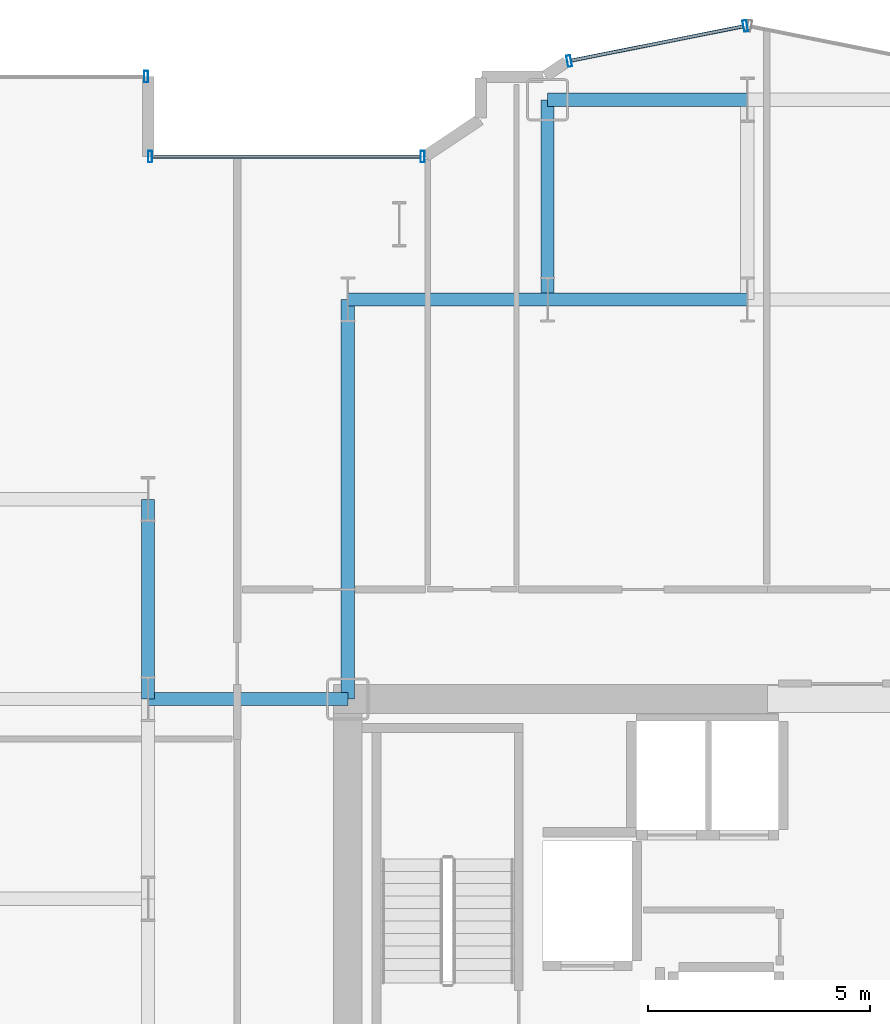
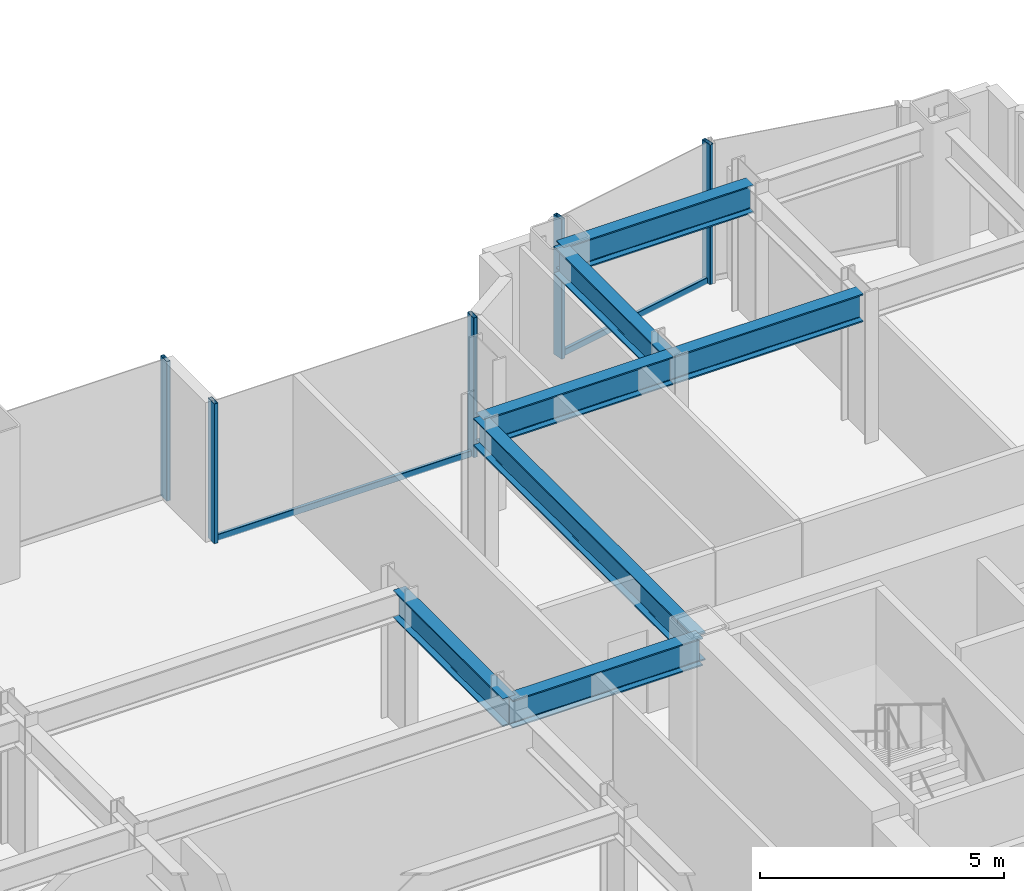
# One storey, part 10 of 26: 7 beams, 7 members, 3 elements without a shape of their own.
"""IFC4 building model written with IfcOpenShell, lengths in metres."""

from ifc_helpers import new_model, si_unit, direction, frame, origin, origin_2d, place, context, subcontext, project, spatial, hollow_rectangle, i_section, extrude, source, transform, mapped, material, layer, layer_set, material_profile, profile_set, type_object, element, aggregate, save


model = new_model("IFC4")

# Units and contexts
model_context = context("Model", 3, precision=1e-05, world=origin(), true_north=direction((0.0, 1.0)))
body_context = subcontext(model_context, "Body", "Model", "MODEL_VIEW")
ifc_project = project(units=[si_unit("LENGTHUNIT", "METRE"), si_unit("AREAUNIT", "SQUARE_METRE"), si_unit("VOLUMEUNIT", "CUBIC_METRE"), si_unit("PLANEANGLEUNIT", "RADIAN"), si_unit("MASSUNIT", "GRAM", prefix="KILO")], contexts=[model_context])

# Site, building, storey
site_placement = place(None, origin())
site = spatial("IfcSite", under=ifc_project, at=site_placement, CompositionType="ELEMENT")
building_placement = place(site_placement, origin())
building = spatial("IfcBuilding", under=site, at=building_placement, Name="Nefas-Gora Pilgrimage Tower", CompositionType="ELEMENT")
storey_placement = place(building_placement, frame((0.0, 0.0, 82.39990234375)))
storey = spatial("IfcBuildingStorey", under=building, at=storey_placement, Name="L19", CompositionType="ELEMENT", Elevation=82.39990234375)

# Beams
ifc_material_1 = material(Name="Steel S355", Category="steel")
ifc_material_profile_1 = material_profile(ifc_material_1, i_section(OverallWidth=0.300048828125, OverallDepth=0.699951171875, WebThickness=0.01708984375, FlangeThickness=0.031982421875, FilletRadius=0.027099609375, at=origin_2d()), Name="HEB 700")
ifc_profile_set_1 = profile_set([ifc_material_profile_1], Name="Steel S355")
beam_type = type_object("IfcBeamType", Name="BM-GIR-HEB700", PredefinedType="BEAM", material=ifc_profile_set_1)
shared_shape_1 = source(origin(), body_context, "Body", "SweptSolid", [
    extrude(i_section(OverallWidth=0.300048828125, OverallDepth=0.699951171875, WebThickness=0.01708984375, FlangeThickness=0.031982421875, FilletRadius=0.027099609375, at=origin_2d()), origin(), (0.0, 0.0, 1.0), 9.0),
])
beam_placement = place(storey_placement, frame((-11.25, 9.0, 3.150146484375), z_axis=(0.0, 1.0, 0.0), x_axis=(-1.0, 0.0, 0.0)))
element("IfcBeam", 1, at=beam_placement, inside=storey, type_object=beam_type, Name="L19 G-02 beam", PredefinedType="BEAM", context=body_context, shape_type="MappedRepresentation", body=[
    mapped(shared_shape_1, transform((0.0, 0.0, 0.0), x_axis=(1.0, 0.0, 0.0), y_axis=(0.0, 1.0, 0.0), z_axis=(0.0, 0.0, 1.0), scale=1.0)),
])
shared_shape_2 = source(origin(), body_context, "Body", "SweptSolid", [
    extrude(i_section(OverallWidth=0.300048828125, OverallDepth=0.699951171875, WebThickness=0.01708984375, FlangeThickness=0.031982421875, FilletRadius=0.027099609375, at=origin_2d()), origin(), (0.0, 0.0, 1.0), 4.5),
])
for number, where, z_axis, x_axis, name in (
    (2, (-15.75, 9.0, 3.150146484375), (0.0, 1.0, 0.0), (-1.0, 0.0, 0.0), "L19 G-02 beam"),
    (3, (-15.75, 9.0, 3.150146484375), (1.0, 0.0, 0.0), (0.0, 1.0, 0.0), "L19 G-02 beam"),
    (4, (-11.25, 18.0, 3.150146484375), (1.0, 0.0, 0.0), (0.0, 1.0, 0.0), "L19 G-02 beam"),
    (5, (-6.75, 18.0, 3.150146484375), (0.0, 1.0, 0.0), (-1.0, 0.0, 0.0), "L19 G-02 beam"),
    (6, (-6.75, 18.0, 3.150146484375), (1.0, 0.0, 0.0), (0.0, 1.0, 0.0), "L19 G-02 beam"),
    (7, (-6.75, 22.5, 3.150146484375), (1.0, 0.0, 0.0), (0.0, 1.0, 0.0), "L19 G-02 beam"),
):
    element("IfcBeam", number, at=place(storey_placement, frame(where, z_axis=z_axis, x_axis=x_axis)), inside=storey, type_object=beam_type, Name=name, PredefinedType="BEAM", context=body_context, shape_type="MappedRepresentation", body=[
        mapped(shared_shape_2, transform((0.0, 0.0, 0.0), x_axis=(1.0, 0.0, 0.0), y_axis=(0.0, 1.0, 0.0), z_axis=(0.0, 0.0, 1.0), scale=1.0)),
    ])

# Curtain wall, member
ifc_material_2 = material(Name="Dark ceramic-fritted solar-control aluminium-glass curtain wall", Category="aluminium")
ifc_layer_1 = layer(ifc_material_2, 0.219970703125)
ifc_layer_set_1 = layer_set([ifc_layer_1], Name="Dark ceramic-fritted solar-control aluminium-glass curtain wall")
curtain_wall_type_1 = type_object("IfcCurtainWallType", Name="CW-SYS-5", PredefinedType="NOTDEFINED", material=ifc_layer_set_1)
curtain_wall_1_placement = place(storey_placement, origin())
curtain_wall_1 = element("IfcCurtainWall", 8, at=curtain_wall_1_placement, inside=storey, type_object=curtain_wall_type_1, Name="L19 Unitised Curtain Wall CW5", PredefinedType="NOTDEFINED")
ifc_material_3 = material(Name="Anodised architectural aluminium", Category="aluminium")
ifc_material_profile_2 = material_profile(ifc_material_3, hollow_rectangle(XDim=0.080078125, YDim=0.159912109375, WallThickness=0.00439453125, InnerFilletRadius=0.00439453125, OuterFilletRadius=0.009033203125, at=origin_2d()), Name="ALU TRANSOM 80x160")
ifc_profile_set_2 = profile_set([ifc_material_profile_2], Name="Anodised architectural aluminium")
member_type_1 = type_object("IfcMemberType", Name="CWM-TRN-5", PredefinedType="USERDEFINED", material=ifc_profile_set_2)
shared_shape_3 = source(origin(), body_context, "Body", "SweptSolid", [
    extrude(hollow_rectangle(XDim=0.080078125, YDim=0.159912109375, WallThickness=0.00439453125, InnerFilletRadius=0.00439453125, OuterFilletRadius=0.009033203125, at=origin_2d()), origin(), (0.0, 0.0, 1.0), 6.052001953125),
])
member_1_placement = place(storey_placement, frame((-9.60791015625, 21.219970703125, 0.050048828125), z_axis=(-1.0, 0.0, 0.0), x_axis=(0.0, -1.0, 0.0)))
member_1 = element("IfcMember", 9, at=member_1_placement, type_object=member_type_1, Name="CW5 Spandrel Transom", ObjectType="TRANSOM", PredefinedType="USERDEFINED", context=body_context, shape_type="MappedRepresentation", body=[
    mapped(shared_shape_3, transform((0.0, 0.0, 0.0), x_axis=(1.0, 0.0, 0.0), y_axis=(0.0, 1.0, 0.0), z_axis=(0.0, 0.0, 1.0), scale=1.0)),
])

# Curtain wall, members
curtain_wall_2_placement = place(storey_placement, origin())
curtain_wall_2 = element("IfcCurtainWall", 10, at=curtain_wall_2_placement, inside=storey, type_object=curtain_wall_type_1, Name="L19 Unitised Curtain Wall CW5", PredefinedType="NOTDEFINED")
shared_shape_4 = source(origin(), body_context, "Body", "SweptSolid", [
    extrude(hollow_rectangle(XDim=0.080078125, YDim=0.159912109375, WallThickness=0.00439453125, InnerFilletRadius=0.00439453125, OuterFilletRadius=0.009033203125, at=origin_2d()), origin(), (0.0, 0.0, 1.0), 3.95654296875),
])
member_2_placement = place(storey_placement, frame((-2.33837890625, 24.15478515625, 0.050048828125), z_axis=(-0.980781880918, -0.195107411605, 0.0), x_axis=(0.195107411605, -0.980781880918, 0.0)))
member_2 = element("IfcMember", 11, at=member_2_placement, type_object=member_type_1, Name="CW5 Spandrel Transom", ObjectType="TRANSOM", PredefinedType="USERDEFINED", context=body_context, shape_type="MappedRepresentation", body=[
    mapped(shared_shape_4, transform((0.0, 0.0, 0.0), x_axis=(1.0, 0.0, 0.0), y_axis=(0.0, 1.0, 0.0), z_axis=(0.0, 0.0, 1.0), scale=1.0)),
])
ifc_material_profile_3 = material_profile(ifc_material_3, hollow_rectangle(XDim=0.090087890625, YDim=0.260009765625, WallThickness=0.006103515625, InnerFilletRadius=0.006103515625, OuterFilletRadius=0.011962890625, at=origin_2d()), Name="ALU MULLION 90x260")
ifc_profile_set_3 = profile_set([ifc_material_profile_3], Name="Anodised architectural aluminium")
member_type_2 = type_object("IfcMemberType", Name="CWM-MUL-5", PredefinedType="MULLION", material=ifc_profile_set_3)
shared_shape_5 = source(origin(), body_context, "Body", "SweptSolid", [
    extrude(hollow_rectangle(XDim=0.090087890625, YDim=0.260009765625, WallThickness=0.006103515625, InnerFilletRadius=0.006103515625, OuterFilletRadius=0.011962890625, at=origin_2d()), origin(), (0.0, 0.0, 1.0), 3.5),
])
member_3_placement = place(storey_placement, frame((-2.294189453125, 24.16357421875, 0.0), z_axis=(0.0, 0.0, 1.0), x_axis=(-0.980782896852, -0.195102304554, 0.0)))
member_3 = element("IfcMember", 12, at=member_3_placement, type_object=member_type_2, Name="CW5 Mullion 1", PredefinedType="MULLION", context=body_context, shape_type="MappedRepresentation", body=[
    mapped(shared_shape_5, transform((0.0, 0.0, 0.0), x_axis=(1.0, 0.0, 0.0), y_axis=(0.0, 1.0, 0.0), z_axis=(0.0, 0.0, 1.0), scale=1.0)),
])
member_4_placement = place(storey_placement, frame((-6.26318359375, 23.3740234375, 0.0), z_axis=(0.0, 0.0, 1.0), x_axis=(-0.980782896852, -0.195102304554, 0.0)))
member_4 = element("IfcMember", 13, at=member_4_placement, type_object=member_type_2, Name="CW5 Mullion 2", PredefinedType="MULLION", context=body_context, shape_type="MappedRepresentation", body=[
    mapped(shared_shape_5, transform((0.0, 0.0, 0.0), x_axis=(1.0, 0.0, 0.0), y_axis=(0.0, 1.0, 0.0), z_axis=(0.0, 0.0, 1.0), scale=1.0)),
])
aggregate(curtain_wall_2, [member_3, member_4, member_2])

# Member
member_5_placement = place(storey_placement, frame((-9.56298828125, 21.219970703125, 0.0), z_axis=(0.0, 0.0, 1.0), x_axis=(-1.0, 0.0, 0.0)))
member_5 = element("IfcMember", 14, at=member_5_placement, type_object=member_type_2, Name="CW5 Mullion 1", PredefinedType="MULLION", context=body_context, shape_type="MappedRepresentation", body=[
    mapped(shared_shape_5, transform((0.0, 0.0, 0.0), x_axis=(1.0, 0.0, 0.0), y_axis=(0.0, 1.0, 0.0), z_axis=(0.0, 0.0, 1.0), scale=1.0)),
])

member_6_placement = place(storey_placement, frame((-15.705078125, 21.219970703125, 0.0), z_axis=(0.0, 0.0, 1.0), x_axis=(-1.0, 0.0, 0.0)))
member_6 = element("IfcMember", 15, at=member_6_placement, type_object=member_type_2, Name="CW5 Mullion 2", PredefinedType="MULLION", context=body_context, shape_type="MappedRepresentation", body=[
    mapped(shared_shape_5, transform((0.0, 0.0, 0.0), x_axis=(1.0, 0.0, 0.0), y_axis=(0.0, 1.0, 0.0), z_axis=(0.0, 0.0, 1.0), scale=1.0)),
])

aggregate(curtain_wall_1, [member_5, member_6, member_1])

# Curtain wall, member
ifc_layer_2 = layer(ifc_material_2, 0.219970703125)
ifc_layer_set_2 = layer_set([ifc_layer_2], Name="Dark ceramic-fritted solar-control aluminium-glass curtain wall")
curtain_wall_type_2 = type_object("IfcCurtainWallType", Name="CW-SYS-2", PredefinedType="NOTDEFINED", material=ifc_layer_set_2)
curtain_wall_3_placement = place(storey_placement, origin())
curtain_wall_3 = element("IfcCurtainWall", 16, at=curtain_wall_3_placement, inside=storey, type_object=curtain_wall_type_2, Name="L19 Unitised Curtain Wall CW2", PredefinedType="NOTDEFINED")
ifc_material_profile_4 = material_profile(ifc_material_3, hollow_rectangle(XDim=0.090087890625, YDim=0.260009765625, WallThickness=0.006103515625, InnerFilletRadius=0.006103515625, OuterFilletRadius=0.011962890625, at=origin_2d()), Name="ALU MULLION 90x260")
ifc_profile_set_4 = profile_set([ifc_material_profile_4], Name="Anodised architectural aluminium")
member_type_3 = type_object("IfcMemberType", Name="CWM-MUL-2", PredefinedType="MULLION", material=ifc_profile_set_4)
shared_shape_6 = source(origin(), body_context, "Body", "SweptSolid", [
    extrude(hollow_rectangle(XDim=0.090087890625, YDim=0.260009765625, WallThickness=0.006103515625, InnerFilletRadius=0.006103515625, OuterFilletRadius=0.011962890625, at=origin_2d()), origin(), (0.0, 0.0, 1.0), 3.5),
])
member_7_placement = place(storey_placement, frame((-15.794921875, 23.02001953125, 0.0), z_axis=(0.0, 0.0, 1.0), x_axis=(-1.0, 0.0, 0.0)))
member_7 = element("IfcMember", 17, at=member_7_placement, type_object=member_type_3, Name="CW2 Mullion 1", PredefinedType="MULLION", context=body_context, shape_type="MappedRepresentation", body=[
    mapped(shared_shape_6, transform((0.0, 0.0, 0.0), x_axis=(1.0, 0.0, 0.0), y_axis=(0.0, 1.0, 0.0), z_axis=(0.0, 0.0, 1.0), scale=1.0)),
])
aggregate(curtain_wall_3, [member_7])

save(model, "model.ifc")
